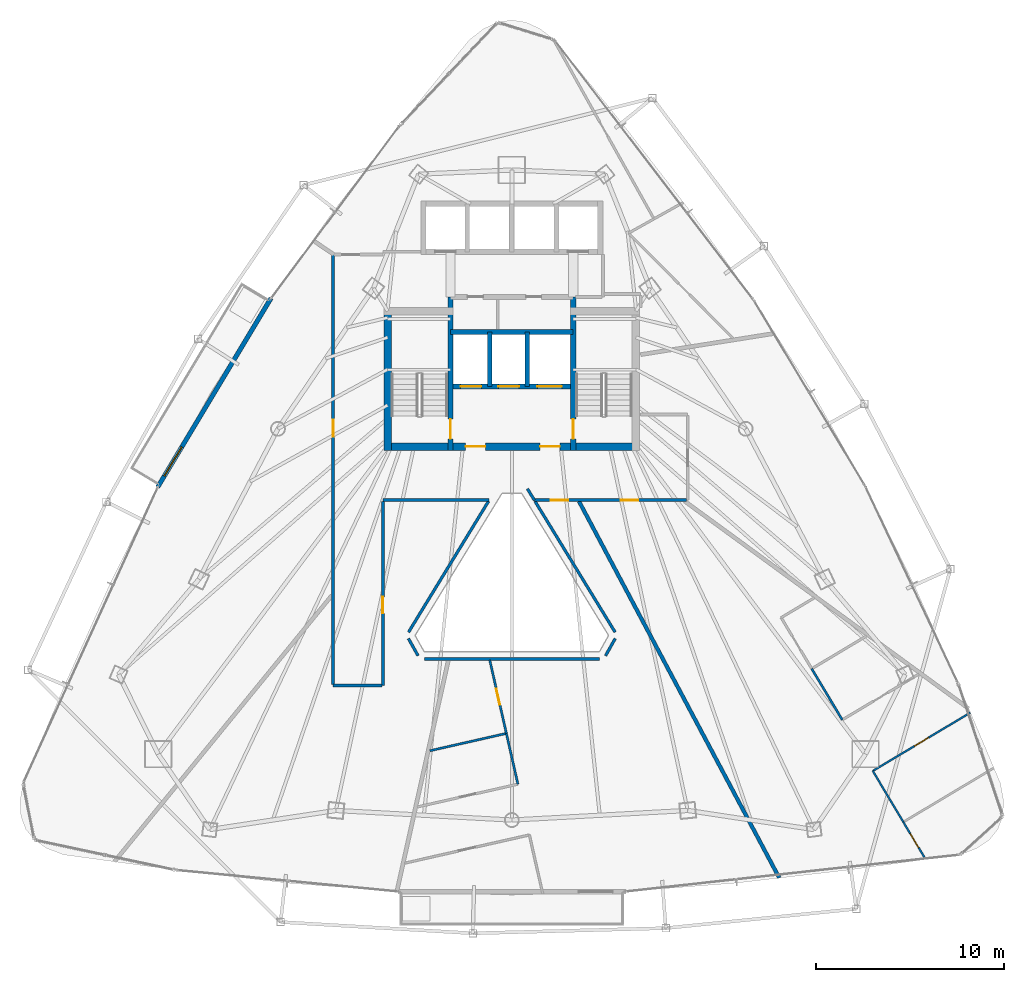
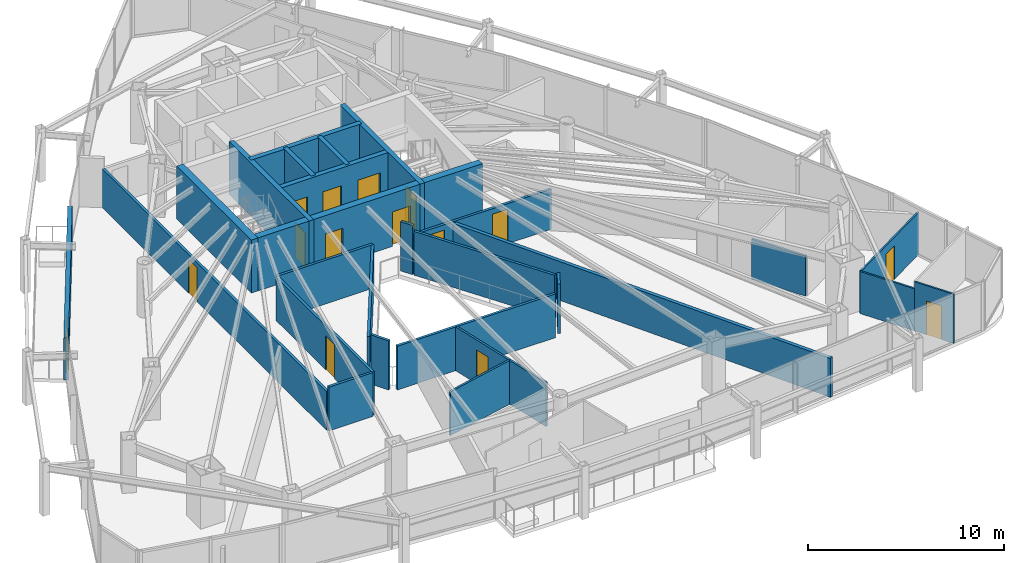
# One storey, part 28 of 33: 28 walls, 15 doors, 15 openings.
"""IFC4 building model written with IfcOpenShell, lengths in metres."""

from ifc_helpers import new_model, si_unit, direction, frame, frame_2d, origin, place, context, subcontext, project, spatial, rectangle, extrude, material, layer, layer_set, type_object, element, fill, save


model = new_model("IFC4")

# Units and contexts
model_context = context("Model", 3, precision=1e-05, world=origin(), true_north=direction((0.0, 1.0)))
body_context = subcontext(model_context, "Body", "Model", "MODEL_VIEW")
ifc_project = project(units=[si_unit("LENGTHUNIT", "METRE"), si_unit("AREAUNIT", "SQUARE_METRE"), si_unit("VOLUMEUNIT", "CUBIC_METRE"), si_unit("PLANEANGLEUNIT", "RADIAN"), si_unit("MASSUNIT", "GRAM", prefix="KILO")], contexts=[model_context])

# Site, building, storey
site_placement = place(None, origin())
site = spatial("IfcSite", under=ifc_project, at=site_placement, CompositionType="ELEMENT")
building_placement = place(site_placement, origin())
building = spatial("IfcBuilding", under=site, at=building_placement, Name="Orvanel Arch Residences", CompositionType="ELEMENT")
storey_placement = place(building_placement, frame((0.0, 0.0, 116.60009765625)))
storey = spatial("IfcBuildingStorey", under=building, at=storey_placement, Name="L32", CompositionType="ELEMENT", Elevation=116.60009765625)

# Wall, opening, door
ifc_material_1 = material(Name="Precast concrete N50 (50 MPa)", Category="concrete")
ifc_layer_1 = layer(ifc_material_1, 0.239990234375)
ifc_layer_set_1 = layer_set([ifc_layer_1], Name="Precast concrete N50 (50 MPa)")
wall_type_1 = type_object("IfcWallType", Name="EW-BAL-240", PredefinedType="SOLIDWALL", material=ifc_layer_set_1)
wall_1_placement = place(storey_placement, frame((20.199951171875, 34.5859375, 0.0), z_axis=(0.0, 0.0, 1.0), x_axis=(-0.514379309275, -0.857562782652, 0.0)))
wall_1 = element("IfcWall", 1, at=wall_1_placement, inside=storey, type_object=wall_type_1, Name="L32 Balcony Threshold Wall Face 1", PredefinedType="SOLIDWALL", context=body_context, shape_type="SweptSolid", body=[
    extrude(rectangle(XDim=11.716796875, YDim=0.239990234375, at=frame_2d((5.8583984375, 0.0))), origin(), (0.0, 0.0, 1.0), 2.6240234375),
])
opening_1_placement = place(wall_1_placement, frame((9.219970703125, 0.0, 0.0)))
opening_1 = element("IfcOpeningElement", 2, at=opening_1_placement, cuts=wall_1, Name="Opening DB-180", PredefinedType="OPENING", context=body_context, shape_type="SweptSolid", body=[
    extrude(rectangle(XDim=1.800048828125, YDim=2.199951171875, at=frame_2d((0.89990234375, 1.10009765625))), frame((0.0, 0.1298828125, 0.0), z_axis=(0.0, -1.0, 0.0), x_axis=(1.0, 0.0, 0.0)), (0.0, 0.0, 1.0), 0.260009765625),
])
ifc_material_2 = material(Name="Bronze-anodised aluminium AA6063-T6", Category="aluminium")
door_type_1 = type_object("IfcDoorType", Name="DR-BAL-1800", OperationType="NOTDEFINED", PredefinedType="DOOR", material=ifc_material_2)
door_1_placement = place(opening_1_placement, origin())
door_1 = element("IfcDoor", 3, at=door_1_placement, inside=storey, type_object=door_type_1, Name="DR-L32-BAL-F1 L32 Planted Balcony Access Door Face 1", OperationType="SINGLE_SWING_RIGHT", OverallHeight=2.199951171875, OverallWidth=1.800048828125, PredefinedType="DOOR", context=body_context, shape_type="SweptSolid", body=[
    extrude(rectangle(XDim=1.800048828125, YDim=2.199951171875, at=frame_2d((0.89990234375, 1.10009765625))), frame((0.0, 0.02490234375, 0.0), z_axis=(0.0, -1.0, 0.0), x_axis=(1.0, 0.0, 0.0)), (0.0, 0.0, 1.0), 0.050048828125),
])
fill(opening_1, door_1)

# Walls
ifc_material_3 = material(Name="Concrete N50 (50 MPa)", Category="concrete")
ifc_layer_2 = layer(ifc_material_3, 0.25)
ifc_layer_set_2 = layer_set([ifc_layer_2], Name="Concrete N50 (50 MPa)")
wall_type_2 = type_object("IfcWallType", Name="SW-CORE-250", PredefinedType="SHEAR", material=ifc_layer_set_2)
for number, where, z_axis, x_axis, name in (
    (4, (31.824951171875, 29.889892578125, 0.0), (0.0, 0.0, 1.0), (0.0, 1.0, 0.0), "L32 Emergency Lift Inter-Shaft Wall F12"),
    (5, (33.824951171875, 29.889892578125, 0.0), (0.0, 0.0, 1.0), (0.0, 1.0, 0.0), "L32 Emergency Lift Inter-Shaft Wall F2G"),
):
    element("IfcWall", number, at=place(storey_placement, frame(where, z_axis=z_axis, x_axis=x_axis)), inside=storey, type_object=wall_type_2, Name=name, PredefinedType="SHEAR", context=body_context, shape_type="SweptSolid", body=[
        extrude(rectangle(XDim=2.900146484375, YDim=0.25, at=frame_2d((1.4501953125, 0.0))), origin(), (0.0, 0.0, 1.0), 3.2998046875),
    ])

# Wall, opening, door
ifc_material_4 = material(Name="Concrete S65 (65 MPa)", Category="concrete")
ifc_layer_3 = layer(ifc_material_4, 0.280029296875)
ifc_layer_set_3 = layer_set([ifc_layer_3], Name="Concrete S65 (65 MPa)")
wall_type_3 = type_object("IfcWallType", Name="SW-CORE-280", PredefinedType="SHEAR", material=ifc_layer_set_3)
wall_2_placement = place(storey_placement, frame((29.739990234375, 26.5, 0.0), z_axis=(0.0, 0.0, 1.0), x_axis=(0.0, 1.0, 0.0)))
wall_2 = element("IfcWall", 6, at=wall_2_placement, inside=storey, type_object=wall_type_3, Name="L32 West Inner Core Spine Shear Wall", PredefinedType="SHEAR", context=body_context, shape_type="SweptSolid", body=[
    extrude(rectangle(XDim=8.14990234375, YDim=0.280029296875, at=frame_2d((4.074951171875, 0.0))), origin(), (0.0, 0.0, 1.0), 3.2998046875),
])
opening_2_placement = place(wall_2_placement, frame((0.60009765625, 0.0, 0.0)))
opening_2 = element("IfcOpeningElement", 7, at=opening_2_placement, cuts=wall_2, Name="Opening DF-120", PredefinedType="OPENING", context=body_context, shape_type="SweptSolid", body=[
    extrude(rectangle(XDim=1.050048828125, YDim=2.14990234375, at=frame_2d((0.52490234375, 1.074951171875))), frame((0.0, 0.14990234375, 0.0), z_axis=(0.0, -1.0, 0.0), x_axis=(1.0, 0.0, 0.0)), (0.0, 0.0, 1.0), 0.300048828125),
])
ifc_material_5 = material(Name="Galvanised steel fire-resisting door assembly", Category="steel")
door_type_2 = type_object("IfcDoorType", Name="DR-FD120-1050", OperationType="NOTDEFINED", PredefinedType="DOOR", material=ifc_material_5)
door_2_placement = place(opening_2_placement, origin())
door_2 = element("IfcDoor", 8, at=door_2_placement, inside=storey, type_object=door_type_2, Name="DR-L32-ST1 L32 Stair 1 Fire Door", OperationType="SINGLE_SWING_LEFT", OverallHeight=2.14990234375, OverallWidth=1.050048828125, PredefinedType="DOOR", context=body_context, shape_type="SweptSolid", body=[
    extrude(rectangle(XDim=1.050048828125, YDim=2.14990234375, at=frame_2d((0.52490234375, 1.074951171875))), frame((0.0, 0.02490234375, 0.0), z_axis=(0.0, -1.0, 0.0), x_axis=(1.0, 0.0, 0.0)), (0.0, 0.0, 1.0), 0.050048828125),
])
fill(opening_2, door_2)

wall_3_placement = place(storey_placement, frame((36.260009765625, 26.5, 0.0), z_axis=(0.0, 0.0, 1.0), x_axis=(0.0, 1.0, 0.0)))
wall_3 = element("IfcWall", 9, at=wall_3_placement, inside=storey, type_object=wall_type_3, Name="L32 East Inner Core Spine Shear Wall", PredefinedType="SHEAR", context=body_context, shape_type="SweptSolid", body=[
    extrude(rectangle(XDim=8.14990234375, YDim=0.280029296875, at=frame_2d((4.074951171875, 0.0))), origin(), (0.0, 0.0, 1.0), 3.2998046875),
])
opening_3_placement = place(wall_3_placement, frame((0.60009765625, 0.0, 0.0)))
opening_3 = element("IfcOpeningElement", 10, at=opening_3_placement, cuts=wall_3, Name="Opening DF-120", PredefinedType="OPENING", context=body_context, shape_type="SweptSolid", body=[
    extrude(rectangle(XDim=1.050048828125, YDim=2.14990234375, at=frame_2d((0.52490234375, 1.074951171875))), frame((0.0, 0.14990234375, 0.0), z_axis=(0.0, -1.0, 0.0), x_axis=(1.0, 0.0, 0.0)), (0.0, 0.0, 1.0), 0.300048828125),
])
door_3_placement = place(opening_3_placement, origin())
door_3 = element("IfcDoor", 11, at=door_3_placement, inside=storey, type_object=door_type_2, Name="DR-L32-ST2 L32 Stair 2 Fire Door", OperationType="SINGLE_SWING_RIGHT", OverallHeight=2.14990234375, OverallWidth=1.050048828125, PredefinedType="DOOR", context=body_context, shape_type="SweptSolid", body=[
    extrude(rectangle(XDim=1.050048828125, YDim=2.14990234375, at=frame_2d((0.52490234375, 1.074951171875))), frame((0.0, 0.02490234375, 0.0), z_axis=(0.0, -1.0, 0.0), x_axis=(1.0, 0.0, 0.0)), (0.0, 0.0, 1.0), 0.050048828125),
])
fill(opening_3, door_3)

# Wall, openings, doors
wall_4_placement = place(storey_placement, frame((36.260009765625, 29.889892578125, 0.0), z_axis=(0.0, 0.0, 1.0), x_axis=(-1.0, 0.0, 0.0)))
wall_4 = element("IfcWall", 12, at=wall_4_placement, inside=storey, type_object=wall_type_3, Name="L32 Emergency Lift Front Core Shear Wall", PredefinedType="SHEAR", context=body_context, shape_type="SweptSolid", body=[
    extrude(rectangle(XDim=6.52001953125, YDim=0.280029296875, at=frame_2d((3.260009765625, 0.0))), origin(), (0.0, 0.0, 1.0), 3.2998046875),
])
opening_4_placement = place(wall_4_placement, frame((4.875, 0.0, 0.0)))
opening_4 = element("IfcOpeningElement", 13, at=opening_4_placement, cuts=wall_4, Name="Opening LD-110", PredefinedType="OPENING", context=body_context, shape_type="SweptSolid", body=[
    extrude(rectangle(XDim=1.10009765625, YDim=2.199951171875, at=frame_2d((0.550048828125, 1.10009765625))), frame((0.0, 0.14990234375, 0.0), z_axis=(0.0, -1.0, 0.0), x_axis=(1.0, 0.0, 0.0)), (0.0, 0.0, 1.0), 0.300048828125),
])
opening_5_placement = place(wall_4_placement, frame((2.875, 0.0, 0.0)))
opening_5 = element("IfcOpeningElement", 14, at=opening_5_placement, cuts=wall_4, Name="Opening LD-110", PredefinedType="OPENING", context=body_context, shape_type="SweptSolid", body=[
    extrude(rectangle(XDim=1.10009765625, YDim=2.199951171875, at=frame_2d((0.550048828125, 1.10009765625))), frame((0.0, 0.14990234375, 0.0), z_axis=(0.0, -1.0, 0.0), x_axis=(1.0, 0.0, 0.0)), (0.0, 0.0, 1.0), 0.300048828125),
])
opening_6_placement = place(wall_4_placement, frame((0.60009765625, 0.0, 0.0)))
opening_6 = element("IfcOpeningElement", 15, at=opening_6_placement, cuts=wall_4, Name="Opening LD-130", PredefinedType="OPENING", context=body_context, shape_type="SweptSolid", body=[
    extrude(rectangle(XDim=1.300048828125, YDim=2.199951171875, at=frame_2d((0.64990234375, 1.10009765625))), frame((0.0, 0.14990234375, 0.0), z_axis=(0.0, -1.0, 0.0), x_axis=(1.0, 0.0, 0.0)), (0.0, 0.0, 1.0), 0.300048828125),
])
door_type_3 = type_object("IfcDoorType", Name="DR-LFT-1100", OperationType="NOTDEFINED", PredefinedType="DOOR", material=ifc_material_5)
door_4_placement = place(opening_4_placement, origin())
door_4 = element("IfcDoor", 16, at=door_4_placement, inside=storey, type_object=door_type_3, Name="LD-F1-L32 L32 Lift F1 Sliding Landing Door", OperationType="DOUBLE_DOOR_SLIDING", OverallHeight=2.199951171875, OverallWidth=1.10009765625, PredefinedType="DOOR", context=body_context, shape_type="SweptSolid", body=[
    extrude(rectangle(XDim=1.10009765625, YDim=2.199951171875, at=frame_2d((0.550048828125, 1.10009765625))), frame((0.0, 0.02490234375, 0.0), z_axis=(0.0, -1.0, 0.0), x_axis=(1.0, 0.0, 0.0)), (0.0, 0.0, 1.0), 0.050048828125),
])
fill(opening_4, door_4)
door_5_placement = place(opening_5_placement, origin())
door_5 = element("IfcDoor", 17, at=door_5_placement, inside=storey, type_object=door_type_3, Name="LD-F2-L32 L32 Lift F2 Sliding Landing Door", OperationType="DOUBLE_DOOR_SLIDING", OverallHeight=2.199951171875, OverallWidth=1.10009765625, PredefinedType="DOOR", context=body_context, shape_type="SweptSolid", body=[
    extrude(rectangle(XDim=1.10009765625, YDim=2.199951171875, at=frame_2d((0.550048828125, 1.10009765625))), frame((0.0, 0.02490234375, 0.0), z_axis=(0.0, -1.0, 0.0), x_axis=(1.0, 0.0, 0.0)), (0.0, 0.0, 1.0), 0.050048828125),
])
fill(opening_5, door_5)
door_type_4 = type_object("IfcDoorType", Name="DR-LFT-1300", OperationType="NOTDEFINED", PredefinedType="DOOR", material=ifc_material_5)
door_6_placement = place(opening_6_placement, origin())
door_6 = element("IfcDoor", 18, at=door_6_placement, inside=storey, type_object=door_type_4, Name="LD-G1-L32 L32 Lift G1 Sliding Landing Door", OperationType="DOUBLE_DOOR_SLIDING", OverallHeight=2.199951171875, OverallWidth=1.300048828125, PredefinedType="DOOR", context=body_context, shape_type="SweptSolid", body=[
    extrude(rectangle(XDim=1.300048828125, YDim=2.199951171875, at=frame_2d((0.64990234375, 1.10009765625))), frame((0.0, 0.02490234375, 0.0), z_axis=(0.0, -1.0, 0.0), x_axis=(1.0, 0.0, 0.0)), (0.0, 0.0, 1.0), 0.050048828125),
])
fill(opening_6, door_6)

# Wall
wall_5_placement = place(storey_placement, frame((29.739990234375, 32.7900390625, 0.0), z_axis=(0.0, 0.0, 1.0), x_axis=(1.0, 0.0, 0.0)))
element("IfcWall", 19, at=wall_5_placement, inside=storey, type_object=wall_type_3, Name="L32 Emergency Lift Back Core Shear Wall", PredefinedType="SHEAR", context=body_context, shape_type="SweptSolid", body=[
    extrude(rectangle(XDim=6.52001953125, YDim=0.280029296875, at=frame_2d((3.260009765625, 0.0))), origin(), (0.0, 0.0, 1.0), 3.2998046875),
])

# Wall, openings, doors
ifc_layer_4 = layer(ifc_material_4, 0.39990234375)
ifc_layer_set_4 = layer_set([ifc_layer_4], Name="Concrete S65 (65 MPa)")
wall_type_4 = type_object("IfcWallType", Name="SW-CORE-400", PredefinedType="SHEAR", material=ifc_layer_set_4)
wall_6_placement = place(storey_placement, frame((26.199951171875, 26.699951171875, 0.0), z_axis=(0.0, 0.0, 1.0), x_axis=(1.0, 0.0, 0.0)))
wall_6 = element("IfcWall", 20, at=wall_6_placement, inside=storey, type_object=wall_type_4, Name="L32 South Core Shear Wall", PredefinedType="SHEAR", context=body_context, shape_type="SweptSolid", body=[
    extrude(rectangle(XDim=13.60009765625, YDim=0.39990234375, at=frame_2d((6.800048828125, 0.0))), origin(), (0.0, 0.0, 1.0), 3.2998046875),
])
opening_7_placement = place(wall_6_placement, frame((4.35009765625, 0.0, 0.0)))
opening_7 = element("IfcOpeningElement", 21, at=opening_7_placement, cuts=wall_6, Name="Opening DF-060", PredefinedType="OPENING", context=body_context, shape_type="SweptSolid", body=[
    extrude(rectangle(XDim=1.050048828125, YDim=2.14990234375, at=frame_2d((0.52490234375, 1.074951171875))), frame((0.0, 0.2099609375, 0.0), z_axis=(0.0, -1.0, 0.0), x_axis=(1.0, 0.0, 0.0)), (0.0, 0.0, 1.0), 0.419921875),
])
opening_8_placement = place(wall_6_placement, frame((8.300048828125, 0.0, 0.0)))
opening_8 = element("IfcOpeningElement", 22, at=opening_8_placement, cuts=wall_6, Name="Opening DF-060", PredefinedType="OPENING", context=body_context, shape_type="SweptSolid", body=[
    extrude(rectangle(XDim=1.050048828125, YDim=2.14990234375, at=frame_2d((0.52490234375, 1.074951171875))), frame((0.0, 0.2099609375, 0.0), z_axis=(0.0, -1.0, 0.0), x_axis=(1.0, 0.0, 0.0)), (0.0, 0.0, 1.0), 0.419921875),
])
door_type_5 = type_object("IfcDoorType", Name="DR-FD60-1050", OperationType="NOTDEFINED", PredefinedType="DOOR", material=ifc_material_5)
door_7_placement = place(opening_7_placement, origin())
door_7 = element("IfcDoor", 23, at=door_7_placement, inside=storey, type_object=door_type_5, Name="DR-L32-FFL-W L32 West Smoke Lobby Door", OperationType="SINGLE_SWING_LEFT", OverallHeight=2.14990234375, OverallWidth=1.050048828125, PredefinedType="DOOR", context=body_context, shape_type="SweptSolid", body=[
    extrude(rectangle(XDim=1.050048828125, YDim=2.14990234375, at=frame_2d((0.52490234375, 1.074951171875))), frame((0.0, 0.02490234375, 0.0), z_axis=(0.0, -1.0, 0.0), x_axis=(1.0, 0.0, 0.0)), (0.0, 0.0, 1.0), 0.050048828125),
])
fill(opening_7, door_7)
door_8_placement = place(opening_8_placement, origin())
door_8 = element("IfcDoor", 24, at=door_8_placement, inside=storey, type_object=door_type_5, Name="DR-L32-FFL-E L32 East Smoke Lobby Door", OperationType="SINGLE_SWING_RIGHT", OverallHeight=2.14990234375, OverallWidth=1.050048828125, PredefinedType="DOOR", context=body_context, shape_type="SweptSolid", body=[
    extrude(rectangle(XDim=1.050048828125, YDim=2.14990234375, at=frame_2d((0.52490234375, 1.074951171875))), frame((0.0, 0.02490234375, 0.0), z_axis=(0.0, -1.0, 0.0), x_axis=(1.0, 0.0, 0.0)), (0.0, 0.0, 1.0), 0.050048828125),
])
fill(opening_8, door_8)

# Walls
wall_7_placement = place(storey_placement, frame((26.39990234375, 26.5, 0.0), z_axis=(0.0, 0.0, 1.0), x_axis=(0.0, 1.0, 0.0)))
element("IfcWall", 25, at=wall_7_placement, inside=storey, type_object=wall_type_4, Name="L32 West Stair Shear Wall", PredefinedType="SHEAR", context=body_context, shape_type="SweptSolid", body=[
    extrude(rectangle(XDim=7.60009765625, YDim=0.39990234375, at=frame_2d((3.800048828125, 0.0))), origin(), (0.0, 0.0, 1.0), 3.2998046875),
])
ifc_material_6 = material(Name="Fire-rated plasterboard lined steel stud partition", Category="steel")
ifc_layer_5 = layer(ifc_material_6, 0.14990234375)
ifc_layer_set_5 = layer_set([ifc_layer_5], Name="Fire-rated plasterboard lined steel stud partition")
wall_type_5 = type_object("IfcWallType", Name="W-COR-150", PredefinedType="PARTITIONING", material=ifc_layer_set_5)
wall_8_placement = place(storey_placement, frame((31.798095703125, 23.85009765625, 0.0), z_axis=(0.0, 0.0, 1.0), x_axis=(-1.0, 0.0, 0.0)))
element("IfcWall", 26, at=wall_8_placement, inside=storey, type_object=wall_type_5, Name="L32 Corridor Fire-Rated Partition", PredefinedType="PARTITIONING", context=body_context, shape_type="SweptSolid", body=[
    extrude(rectangle(XDim=5.648193359375, YDim=0.14990234375, at=frame_2d((2.82421875, 0.0))), origin(), (0.0, 0.0, 1.0), 2.720947265625),
])

# Wall, opening, door
wall_9_placement = place(storey_placement, frame((26.14990234375, 23.7900390625, 0.0), z_axis=(0.0, 0.0, 1.0), x_axis=(0.0, -1.0, 0.0)))
wall_9 = element("IfcWall", 27, at=wall_9_placement, inside=storey, type_object=wall_type_5, Name="L32 Corridor Fire-Rated Partition", PredefinedType="PARTITIONING", context=body_context, shape_type="SweptSolid", body=[
    extrude(rectangle(XDim=9.7900390625, YDim=0.14990234375, at=frame_2d((4.89501953125, 0.0))), origin(), (0.0, 0.0, 1.0), 2.720947265625),
])
opening_9_placement = place(wall_9_placement, frame((5.080078125, 0.0, 0.0)))
opening_9 = element("IfcOpeningElement", 28, at=opening_9_placement, cuts=wall_9, Name="Opening DI-088", PredefinedType="OPENING", context=body_context, shape_type="SweptSolid", body=[
    extrude(rectangle(XDim=0.8798828125, YDim=2.10009765625, at=frame_2d((0.43994140625, 1.050048828125))), frame((0.0, 0.0849609375, 0.0), z_axis=(0.0, -1.0, 0.0), x_axis=(1.0, 0.0, 0.0)), (0.0, 0.0, 1.0), 0.169921875),
])
ifc_material_7 = material(Name="Solid-core European oak veneer fire door leaf", Category="wood")
door_type_6 = type_object("IfcDoorType", Name="DR-INT-880", OperationType="NOTDEFINED", PredefinedType="DOOR", material=ifc_material_7)
door_9_placement = place(opening_9_placement, origin())
door_9 = element("IfcDoor", 29, at=door_9_placement, inside=storey, type_object=door_type_6, Name="DR-L32-SHRD-FB4 L32 Co-Working Study Office D Door", OperationType="SINGLE_SWING_LEFT", OverallHeight=2.10009765625, OverallWidth=0.8798828125, PredefinedType="DOOR", context=body_context, shape_type="SweptSolid", body=[
    extrude(rectangle(XDim=0.8798828125, YDim=2.10009765625, at=frame_2d((0.43994140625, 1.050048828125))), frame((0.0, 0.02490234375, 0.0), z_axis=(0.0, -1.0, 0.0), x_axis=(1.0, 0.0, 0.0)), (0.0, 0.0, 1.0), 0.050048828125),
])
fill(opening_9, door_9)

# Wall
wall_10_placement = place(storey_placement, frame((26.090087890625, 14.0, 0.0), z_axis=(0.0, 0.0, 1.0), x_axis=(-1.0, 0.0, 0.0)))
element("IfcWall", 30, at=wall_10_placement, inside=storey, type_object=wall_type_5, Name="L32 Corridor Fire-Rated Partition", PredefinedType="PARTITIONING", context=body_context, shape_type="SweptSolid", body=[
    extrude(rectangle(XDim=2.590087890625, YDim=0.14990234375, at=frame_2d((1.294921875, 0.0))), origin(), (0.0, 0.0, 1.0), 2.720947265625),
])

# Wall, opening, door
wall_11_placement = place(storey_placement, frame((23.5, 14.06005859375, 0.0), z_axis=(0.0, 0.0, 1.0), x_axis=(0.0, 1.0, 0.0)))
wall_11 = element("IfcWall", 31, at=wall_11_placement, inside=storey, type_object=wall_type_5, Name="L32 Corridor Fire-Rated Partition", PredefinedType="PARTITIONING", context=body_context, shape_type="SweptSolid", body=[
    extrude(rectangle(XDim=22.83984375, YDim=0.14990234375, at=frame_2d((11.419921875, 0.0))), origin(), (0.0, 0.0, 1.0), 2.412841796875),
])
opening_10_placement = place(wall_11_placement, frame((13.169921875, 0.0, 0.0)))
opening_10 = element("IfcOpeningElement", 32, at=opening_10_placement, cuts=wall_11, Name="Opening DI-088", PredefinedType="OPENING", context=body_context, shape_type="SweptSolid", body=[
    extrude(rectangle(XDim=0.8798828125, YDim=2.10009765625, at=frame_2d((0.43994140625, 1.050048828125))), frame((0.0, 0.0849609375, 0.0), z_axis=(0.0, -1.0, 0.0), x_axis=(1.0, 0.0, 0.0)), (0.0, 0.0, 1.0), 0.169921875),
])
door_10_placement = place(opening_10_placement, origin())
door_10 = element("IfcDoor", 33, at=door_10_placement, inside=storey, type_object=door_type_6, Name="DR-L32-SHRD-FB1 L32 Co-Working Study Office A Door", OperationType="SINGLE_SWING_LEFT", OverallHeight=2.10009765625, OverallWidth=0.8798828125, PredefinedType="DOOR", context=body_context, shape_type="SweptSolid", body=[
    extrude(rectangle(XDim=0.8798828125, YDim=2.10009765625, at=frame_2d((0.43994140625, 1.050048828125))), frame((0.0, 0.02490234375, 0.0), z_axis=(0.0, -1.0, 0.0), x_axis=(1.0, 0.0, 0.0)), (0.0, 0.0, 1.0), 0.050048828125),
])
fill(opening_10, door_10)

# Wall, openings, doors
wall_12_placement = place(storey_placement, frame((42.2900390625, 23.85009765625, 0.0), z_axis=(0.0, 0.0, 1.0), x_axis=(-1.0, 0.0, 0.0)))
wall_12 = element("IfcWall", 34, at=wall_12_placement, inside=storey, type_object=wall_type_5, Name="L32 Corridor Fire-Rated Partition", PredefinedType="PARTITIONING", context=body_context, shape_type="SweptSolid", body=[
    extrude(rectangle(XDim=8.088134765625, YDim=0.14990234375, at=frame_2d((4.0439453125, 0.0))), origin(), (0.0, 0.0, 1.0), 2.491943359375),
])
opening_11_placement = place(wall_12_placement, frame((2.56689453125, 0.0, 0.0)))
opening_11 = element("IfcOpeningElement", 35, at=opening_11_placement, cuts=wall_12, Name="Opening DA-092", PredefinedType="OPENING", context=body_context, shape_type="SweptSolid", body=[
    extrude(rectangle(XDim=0.919921875, YDim=2.14990234375, at=frame_2d((0.4599609375, 1.074951171875))), frame((0.0, 0.0849609375, 0.0), z_axis=(0.0, -1.0, 0.0), x_axis=(1.0, 0.0, 0.0)), (0.0, 0.0, 1.0), 0.169921875),
])
opening_12_placement = place(wall_12_placement, frame((6.2958984375, 0.0, 0.0)))
opening_12 = element("IfcOpeningElement", 36, at=opening_12_placement, cuts=wall_12, Name="Opening DA-092", PredefinedType="OPENING", context=body_context, shape_type="SweptSolid", body=[
    extrude(rectangle(XDim=0.919921875, YDim=2.14990234375, at=frame_2d((0.4599609375, 1.074951171875))), frame((0.0, 0.0849609375, 0.0), z_axis=(0.0, -1.0, 0.0), x_axis=(1.0, 0.0, 0.0)), (0.0, 0.0, 1.0), 0.169921875),
])
door_type_7 = type_object("IfcDoorType", Name="DR-APT-920", OperationType="NOTDEFINED", PredefinedType="DOOR", material=ifc_material_7)
door_11_placement = place(opening_11_placement, origin())
door_11 = element("IfcDoor", 37, at=door_11_placement, inside=storey, type_object=door_type_7, Name="DR-L32-B-ENT L32 Flat B Entrance Door", OperationType="SINGLE_SWING_LEFT", OverallHeight=2.14990234375, OverallWidth=0.919921875, PredefinedType="DOOR", context=body_context, shape_type="SweptSolid", body=[
    extrude(rectangle(XDim=0.919921875, YDim=2.14990234375, at=frame_2d((0.4599609375, 1.074951171875))), frame((0.0, 0.02490234375, 0.0), z_axis=(0.0, -1.0, 0.0), x_axis=(1.0, 0.0, 0.0)), (0.0, 0.0, 1.0), 0.050048828125),
])
fill(opening_11, door_11)
door_12_placement = place(opening_12_placement, origin())
door_12 = element("IfcDoor", 38, at=door_12_placement, inside=storey, type_object=door_type_7, Name="DR-L32-C-ENT L32 Studio C Entrance Door", OperationType="SINGLE_SWING_RIGHT", OverallHeight=2.14990234375, OverallWidth=0.919921875, PredefinedType="DOOR", context=body_context, shape_type="SweptSolid", body=[
    extrude(rectangle(XDim=0.919921875, YDim=2.14990234375, at=frame_2d((0.4599609375, 1.074951171875))), frame((0.0, 0.02490234375, 0.0), z_axis=(0.0, -1.0, 0.0), x_axis=(1.0, 0.0, 0.0)), (0.0, 0.0, 1.0), 0.050048828125),
])
fill(opening_12, door_12)

# Walls
wall_13_placement = place(storey_placement, frame((34.201904296875, 23.85009765625, 0.0), z_axis=(0.0, 0.0, 1.0), x_axis=(-0.527226500772, 0.849724788907, 0.0)))
element("IfcWall", 39, at=wall_13_placement, inside=storey, type_object=wall_type_5, Name="L32 Corridor Fire-Rated Partition", PredefinedType="PARTITIONING", context=body_context, shape_type="SweptSolid", body=[
    extrude(rectangle(XDim=0.713134765625, YDim=0.14990234375, at=frame_2d((0.3564453125, 0.0))), origin(), (0.0, 0.0, 1.0), 3.059814453125),
])
wall_14_placement = place(storey_placement, frame((34.23291015625, 23.7900390625, 0.0), z_axis=(0.0, 0.0, 1.0), x_axis=(0.521893040745, -0.853010934292, 0.0)))
element("IfcWall", 40, at=wall_14_placement, inside=storey, type_object=wall_type_5, Name="L32 Atrium Overlook Glazed Partition", PredefinedType="PARTITIONING", context=body_context, shape_type="SweptSolid", body=[
    extrude(rectangle(XDim=8.156982421875, YDim=0.14990234375, at=frame_2d((4.07861328125, 0.0))), origin(), (0.0, 0.0, 1.0), 2.720947265625),
])
wall_15_placement = place(storey_placement, frame((38.4970703125, 16.49609375, 0.0), z_axis=(0.0, 0.0, 1.0), x_axis=(-0.489281087794, -0.872126147485, 0.0)))
element("IfcWall", 41, at=wall_15_placement, inside=storey, type_object=wall_type_5, Name="L32 Atrium Overlook Glazed Partition", PredefinedType="PARTITIONING", context=body_context, shape_type="SweptSolid", body=[
    extrude(rectangle(XDim=1.052734375, YDim=0.14990234375, at=frame_2d((0.5263671875, 0.0))), origin(), (0.0, 0.0, 1.0), 3.059814453125),
])
wall_16_placement = place(storey_placement, frame((37.654052734375, 15.406005859375, 0.0), z_axis=(0.0, 0.0, 1.0), x_axis=(-1.0, 0.0, 0.0)))
element("IfcWall", 42, at=wall_16_placement, inside=storey, type_object=wall_type_5, Name="L32 Atrium Overlook Glazed Partition", PredefinedType="PARTITIONING", context=body_context, shape_type="SweptSolid", body=[
    extrude(rectangle(XDim=9.30810546875, YDim=0.14990234375, at=frame_2d((4.654052734375, 0.0))), origin(), (0.0, 0.0, 1.0), 2.720947265625),
])
wall_17_placement = place(storey_placement, frame((28.01806640625, 15.577880859375, 0.0), z_axis=(0.0, 0.0, 1.0), x_axis=(-0.489281087794, 0.872126147485, 0.0)))
element("IfcWall", 43, at=wall_17_placement, inside=storey, type_object=wall_type_5, Name="L32 Atrium Overlook Glazed Partition", PredefinedType="PARTITIONING", context=body_context, shape_type="SweptSolid", body=[
    extrude(rectangle(XDim=1.052734375, YDim=0.14990234375, at=frame_2d((0.5263671875, 0.0))), origin(), (0.0, 0.0, 1.0), 3.059814453125),
])
wall_18_placement = place(storey_placement, frame((27.510009765625, 16.83203125, 0.0), z_axis=(0.0, 0.0, 1.0), x_axis=(0.521348270591, 0.853343999072, 0.0)))
element("IfcWall", 44, at=wall_18_placement, inside=storey, type_object=wall_type_5, Name="L32 Atrium Overlook Glazed Partition", PredefinedType="PARTITIONING", context=body_context, shape_type="SweptSolid", body=[
    extrude(rectangle(XDim=8.15380859375, YDim=0.14990234375, at=frame_2d((4.076904296875, 0.0))), origin(), (0.0, 0.0, 1.0), 2.720947265625),
])
ifc_layer_6 = layer(ifc_material_6, 0.199951171875)
ifc_layer_set_6 = layer_set([ifc_layer_6], Name="Fire-rated plasterboard lined steel stud partition")
wall_type_6 = type_object("IfcWallType", Name="W-DEM-200", PredefinedType="PARTITIONING", material=ifc_layer_set_6)
wall_19_placement = place(storey_placement, frame((47.214111328125, 3.77490234375, 0.0), z_axis=(0.0, 0.0, 1.0), x_axis=(-0.469567249912, 0.88289670846, 0.0)))
element("IfcWall", 45, at=wall_19_placement, inside=storey, type_object=wall_type_6, Name="L32 Inter-Tenancy Acoustic Demising Wall", PredefinedType="PARTITIONING", context=body_context, shape_type="SweptSolid", body=[
    extrude(rectangle(XDim=22.669921875, YDim=0.199951171875, at=frame_2d((11.3349609375, 0.0))), origin(), (0.0, 0.0, 1.0), 2.412841796875),
])

# Wall, opening, door
ifc_material_8 = material(Name="Acoustic plasterboard lined twin-stud partition", Category="gypsum")
ifc_layer_7 = layer(ifc_material_8, 0.10009765625)
ifc_layer_set_7 = layer_set([ifc_layer_7], Name="Acoustic plasterboard lined twin-stud partition")
wall_type_7 = type_object("IfcWallType", Name="W-INT-100", PredefinedType="PARTITIONING", material=ifc_layer_set_7)
wall_20_placement = place(storey_placement, frame((57.373046875, 12.553955078125, 0.0), z_axis=(0.0, 0.0, 1.0), x_axis=(-0.858379637305, -0.513015007831, 0.0)))
wall_20 = element("IfcWall", 46, at=wall_20_placement, inside=storey, type_object=wall_type_7, Name="L32 Flat B Internal Partition", PredefinedType="PARTITIONING", context=body_context, shape_type="SweptSolid", body=[
    extrude(rectangle(XDim=6.04052734375, YDim=0.10009765625, at=frame_2d((3.020263671875, 0.0))), origin(), (0.0, 0.0, 1.0), 2.618896484375),
])
opening_13_placement = place(wall_20_placement, frame((2.580078125, 0.0, 0.0)))
opening_13 = element("IfcOpeningElement", 47, at=opening_13_placement, cuts=wall_20, Name="Opening DI-088", PredefinedType="OPENING", context=body_context, shape_type="SweptSolid", body=[
    extrude(rectangle(XDim=0.8798828125, YDim=2.10009765625, at=frame_2d((0.43994140625, 1.050048828125))), frame((0.0, 0.06005859375, 0.0), z_axis=(0.0, -1.0, 0.0), x_axis=(1.0, 0.0, 0.0)), (0.0, 0.0, 1.0), 0.1201171875),
])
door_13_placement = place(opening_13_placement, origin())
door_13 = element("IfcDoor", 48, at=door_13_placement, inside=storey, type_object=door_type_6, Name="DR-L32-B-BED1 L32 Flat B Bedroom 1 Door", OperationType="SINGLE_SWING_LEFT", OverallHeight=2.10009765625, OverallWidth=0.8798828125, PredefinedType="DOOR", context=body_context, shape_type="SweptSolid", body=[
    extrude(rectangle(XDim=0.8798828125, YDim=2.10009765625, at=frame_2d((0.43994140625, 1.050048828125))), frame((0.0, 0.02490234375, 0.0), z_axis=(0.0, -1.0, 0.0), x_axis=(1.0, 0.0, 0.0)), (0.0, 0.0, 1.0), 0.050048828125),
])
fill(opening_13, door_13)

# Wall
wall_21_placement = place(storey_placement, frame((52.18798828125, 9.455078125, 0.0), z_axis=(0.0, 0.0, 1.0), x_axis=(0.512963071382, -0.858410675259, 0.0)))
element("IfcWall", 49, at=wall_21_placement, inside=storey, type_object=wall_type_7, Name="L32 Flat B Internal Partition", PredefinedType="PARTITIONING", context=body_context, shape_type="SweptSolid", body=[
    extrude(rectangle(XDim=3.1640625, YDim=0.10009765625, at=frame_2d((1.58203125, 0.0))), origin(), (0.0, 0.0, 1.0), 2.618896484375),
])

# Wall, opening, door
wall_22_placement = place(storey_placement, frame((53.81103515625, 6.739013671875, 0.0), z_axis=(0.0, 0.0, 1.0), x_axis=(0.512795384263, -0.858510858335, 0.0)))
wall_22 = element("IfcWall", 50, at=wall_22_placement, inside=storey, type_object=wall_type_7, Name="L32 Flat B Internal Partition", PredefinedType="PARTITIONING", context=body_context, shape_type="SweptSolid", body=[
    extrude(rectangle(XDim=2.302978515625, YDim=0.10009765625, at=frame_2d((1.1513671875, 0.0))), origin(), (0.0, 0.0, 1.0), 3.059814453125),
])
opening_14_placement = place(wall_22_placement, frame((0.7109375, 0.0, 0.0)))
opening_14 = element("IfcOpeningElement", 51, at=opening_14_placement, cuts=wall_22, Name="Opening DI-088", PredefinedType="OPENING", context=body_context, shape_type="SweptSolid", body=[
    extrude(rectangle(XDim=0.8798828125, YDim=2.10009765625, at=frame_2d((0.43994140625, 1.050048828125))), frame((0.0, 0.06005859375, 0.0), z_axis=(0.0, -1.0, 0.0), x_axis=(1.0, 0.0, 0.0)), (0.0, 0.0, 1.0), 0.1201171875),
])
door_14_placement = place(opening_14_placement, origin())
door_14 = element("IfcDoor", 52, at=door_14_placement, inside=storey, type_object=door_type_6, Name="DR-L32-B-OFC2 L32 Flat B Home Work Office 1 Door", OperationType="SINGLE_SWING_LEFT", OverallHeight=2.10009765625, OverallWidth=0.8798828125, PredefinedType="DOOR", context=body_context, shape_type="SweptSolid", body=[
    extrude(rectangle(XDim=0.8798828125, YDim=2.10009765625, at=frame_2d((0.43994140625, 1.050048828125))), frame((0.0, 0.02490234375, 0.0), z_axis=(0.0, -1.0, 0.0), x_axis=(1.0, 0.0, 0.0)), (0.0, 0.0, 1.0), 0.050048828125),
])
fill(opening_14, door_14)

# Walls
ifc_layer_8 = layer(ifc_material_8, 0.1201171875)
ifc_layer_set_8 = layer_set([ifc_layer_8], Name="Acoustic plasterboard lined twin-stud partition")
wall_type_8 = type_object("IfcWallType", Name="W-WET-120", PredefinedType="PARTITIONING", material=ifc_layer_set_8)
wall_23_placement = place(storey_placement, frame((48.94189453125, 14.887939453125, 0.0), z_axis=(0.0, 0.0, 1.0), x_axis=(0.512997049548, -0.858390369911, 0.0)))
element("IfcWall", 53, at=wall_23_placement, inside=storey, type_object=wall_type_8, Name="L32 Flat B Internal Partition", PredefinedType="PARTITIONING", context=body_context, shape_type="SweptSolid", body=[
    extrude(rectangle(XDim=3.163818359375, YDim=0.1201171875, at=frame_2d((1.58203125, 0.0))), origin(), (0.0, 0.0, 1.0), 2.491943359375),
])
wall_24_placement = place(storey_placement, frame((33.322998046875, 8.751953125, 0.0), z_axis=(0.0, 0.0, 1.0), x_axis=(-0.221159716637, 0.975237601683, 0.0)))
element("IfcWall", 54, at=wall_24_placement, inside=storey, type_object=wall_type_8, Name="L32 Studio C Bathroom Partition", PredefinedType="PARTITIONING", context=body_context, shape_type="SweptSolid", body=[
    extrude(rectangle(XDim=2.767578125, YDim=0.1201171875, at=frame_2d((1.3837890625, 0.0))), origin(), (0.0, 0.0, 1.0), 2.720947265625),
])

# Wall, opening, door
wall_25_placement = place(storey_placement, frame((32.7109375, 11.450927734375, 0.0), z_axis=(0.0, 0.0, 1.0), x_axis=(-0.221335761288, 0.975197662413, 0.0)))
wall_25 = element("IfcWall", 55, at=wall_25_placement, inside=storey, type_object=wall_type_8, Name="L32 Studio C Internal Partition", PredefinedType="PARTITIONING", context=body_context, shape_type="SweptSolid", body=[
    extrude(rectangle(XDim=3.994140625, YDim=0.1201171875, at=frame_2d((1.9970703125, 0.0))), origin(), (0.0, 0.0, 1.0), 2.720947265625),
])
opening_15_placement = place(wall_25_placement, frame((1.556884765625, 0.0, 0.0)))
opening_15 = element("IfcOpeningElement", 56, at=opening_15_placement, cuts=wall_25, Name="Opening DI-088", PredefinedType="OPENING", context=body_context, shape_type="SweptSolid", body=[
    extrude(rectangle(XDim=0.8798828125, YDim=2.10009765625, at=frame_2d((0.43994140625, 1.050048828125))), frame((0.0, 0.070068359375, 0.0), z_axis=(0.0, -1.0, 0.0), x_axis=(1.0, 0.0, 0.0)), (0.0, 0.0, 1.0), 0.14013671875),
])
door_15_placement = place(opening_15_placement, origin())
door_15 = element("IfcDoor", 57, at=door_15_placement, inside=storey, type_object=door_type_6, Name="DR-L32-C-KIT L32 Studio C Kitchenette Door", OperationType="SINGLE_SWING_LEFT", OverallHeight=2.10009765625, OverallWidth=0.8798828125, PredefinedType="DOOR", context=body_context, shape_type="SweptSolid", body=[
    extrude(rectangle(XDim=0.8798828125, YDim=2.10009765625, at=frame_2d((0.43994140625, 1.050048828125))), frame((0.0, 0.02490234375, 0.0), z_axis=(0.0, -1.0, 0.0), x_axis=(1.0, 0.0, 0.0)), (0.0, 0.0, 1.0), 0.050048828125),
])
fill(opening_15, door_15)

# Wall
wall_26_placement = place(storey_placement, frame((28.64208984375, 10.528076171875, 0.0), z_axis=(0.0, 0.0, 1.0), x_axis=(0.975230479555, 0.221191120408, 0.0)))
element("IfcWall", 58, at=wall_26_placement, inside=storey, type_object=wall_type_8, Name="L32 Studio C Bathroom Partition", PredefinedType="PARTITIONING", context=body_context, shape_type="SweptSolid", body=[
    extrude(rectangle(XDim=4.172119140625, YDim=0.1201171875, at=frame_2d((2.0859375, 0.0))), origin(), (0.0, 0.0, 1.0), 2.720947265625),
])

save(model, "model.ifc")
